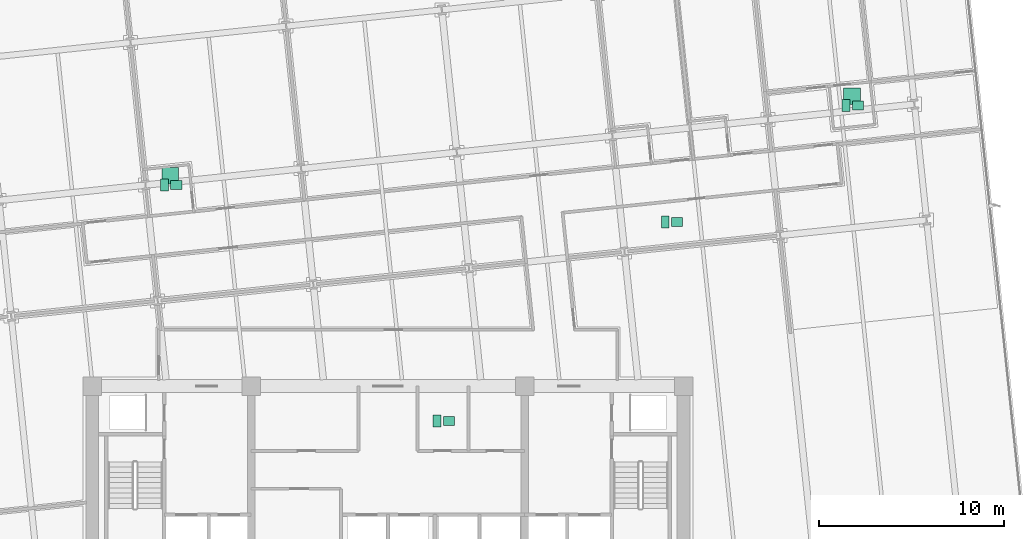
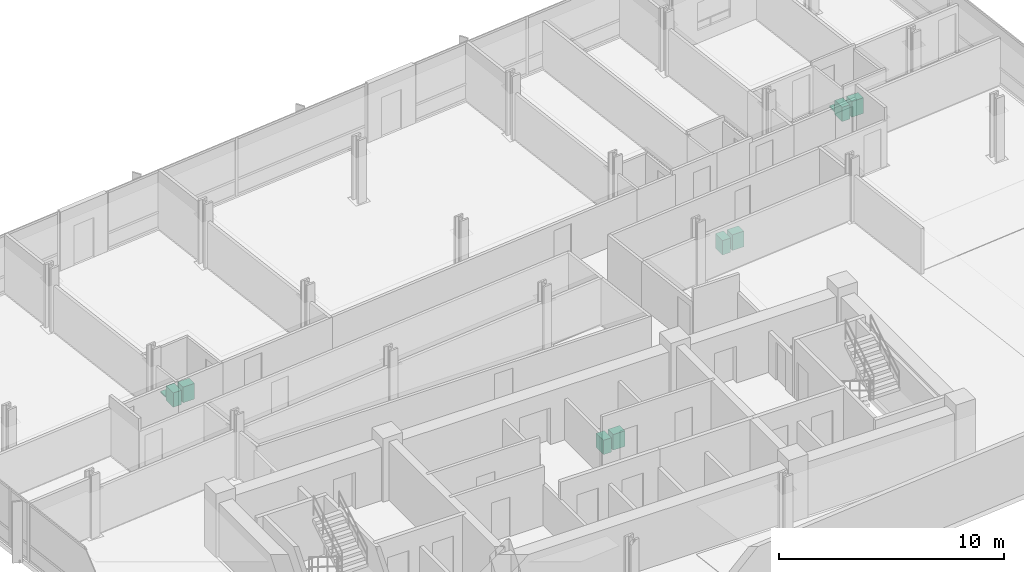
# One storey, part 20 of 20: 10 sanitary terminals.
"""IFC4 building model written with IfcOpenShell, lengths in metres."""

from ifc_helpers import new_model, si_unit, direction, frame, origin, origin_2d, place, context, subcontext, project, spatial, rectangle, extrude, material, type_object, element, save


model = new_model("IFC4")

# Units and contexts
model_context = context("Model", 3, precision=1e-05, world=origin(), true_north=direction((0.0, 1.0)))
body_context = subcontext(model_context, "Body", "Model", "MODEL_VIEW")
ifc_project = project(units=[si_unit("LENGTHUNIT", "METRE"), si_unit("AREAUNIT", "SQUARE_METRE"), si_unit("VOLUMEUNIT", "CUBIC_METRE"), si_unit("PLANEANGLEUNIT", "RADIAN"), si_unit("MASSUNIT", "GRAM", prefix="KILO")], contexts=[model_context])

# Site, building, storey
site_placement = place(None, origin())
site = spatial("IfcSite", under=ifc_project, at=site_placement, CompositionType="ELEMENT")
building_placement = place(site_placement, origin())
building = spatial("IfcBuilding", under=site, at=building_placement, Name="Solmavex Isthmus Hotel", CompositionType="ELEMENT")
storey_placement = place(building_placement, frame((0.0, 0.0, 109.800048828125)))
storey = spatial("IfcBuildingStorey", under=building, at=storey_placement, Name="L29", CompositionType="ELEMENT", Elevation=109.800048828125)

# Sanitary terminals
ifc_material = material(Name="Vitreous china ceramic", Category="ceramic")
sanitary_terminal_type_1 = type_object("IfcSanitaryTerminalType", Name="SAN-BASIN", PredefinedType="WASHHANDBASIN", material=ifc_material)
for number, where, z_axis, x_axis, name in (
    (1, (3.294921875, -4.385009765625, 0.0), (0.0, 0.0, 1.0), (1.0, 0.0, 0.0), "Vanity Washbasin L29-133"),
    (2, (-11.452880859375, 8.382080078125, 0.0), (0.0, 0.0, 1.0), (1.0, 0.0, 0.0), "Vanity Washbasin L29-134"),
    (3, (25.4248046875, 12.69189453125, 0.0), (0.0, 0.0, 1.0), (1.0, 0.0, 0.0), "Vanity Washbasin L29-135"),
    (4, (15.6416015625, 6.38818359375, 0.0), (0.0, 0.0, 1.0), (1.0, 0.0, 0.0), "Vanity Washbasin L29-136"),
):
    element("IfcSanitaryTerminal", number, at=place(storey_placement, frame(where, z_axis=z_axis, x_axis=x_axis)), inside=storey, type_object=sanitary_terminal_type_1, Name=name, PredefinedType="WASHHANDBASIN", context=body_context, shape_type="SweptSolid", body=[
        extrude(rectangle(XDim=0.60009765625, YDim=0.47998046875, at=origin_2d()), origin(), (0.0, 0.0, 1.0), 0.85009765625),
    ])
sanitary_terminal_type_2 = type_object("IfcSanitaryTerminalType", Name="SAN-SHOWER", PredefinedType="SHOWER", material=ifc_material)
for number, where, z_axis, x_axis, name in (
    (5, (-11.77294921875, 8.882080078125, 0.0), (0.0, 0.0, 1.0), (1.0, 0.0, 0.0), "Walk-In Shower L29-134"),
    (6, (25.104736328125, 13.19189453125, 0.0), (0.0, 0.0, 1.0), (1.0, 0.0, 0.0), "Walk-In Shower L29-135"),
):
    element("IfcSanitaryTerminal", number, at=place(storey_placement, frame(where, z_axis=z_axis, x_axis=x_axis)), inside=storey, type_object=sanitary_terminal_type_2, Name=name, PredefinedType="SHOWER", context=body_context, shape_type="SweptSolid", body=[
        extrude(rectangle(XDim=0.89990234375, YDim=0.89990234375, at=origin_2d()), origin(), (0.0, 0.0, 1.0), 0.080078125),
    ])
sanitary_terminal_type_3 = type_object("IfcSanitaryTerminalType", Name="SAN-WC-SUITE", PredefinedType="TOILETPAN", material=ifc_material)
for number, where, z_axis, x_axis, name in (
    (7, (2.655029296875, -4.385009765625, 0.0), (0.0, 0.0, 1.0), (1.0, 0.0, 0.0), "Water Closet L29-133"),
    (8, (-12.093017578125, 8.382080078125, 0.0), (0.0, 0.0, 1.0), (1.0, 0.0, 0.0), "Water Closet L29-134"),
    (9, (24.784912109375, 12.69189453125, 0.0), (0.0, 0.0, 1.0), (1.0, 0.0, 0.0), "Water Closet L29-135"),
    (10, (15.001708984375, 6.38818359375, 0.0), (0.0, 0.0, 1.0), (1.0, 0.0, 0.0), "Water Closet L29-136"),
):
    element("IfcSanitaryTerminal", number, at=place(storey_placement, frame(where, z_axis=z_axis, x_axis=x_axis)), inside=storey, type_object=sanitary_terminal_type_3, Name=name, PredefinedType="TOILETPAN", context=body_context, shape_type="SweptSolid", body=[
        extrude(rectangle(XDim=0.419921875, YDim=0.64990234375, at=origin_2d()), origin(), (0.0, 0.0, 1.0), 0.780029296875),
    ])

save(model, "model.ifc")
